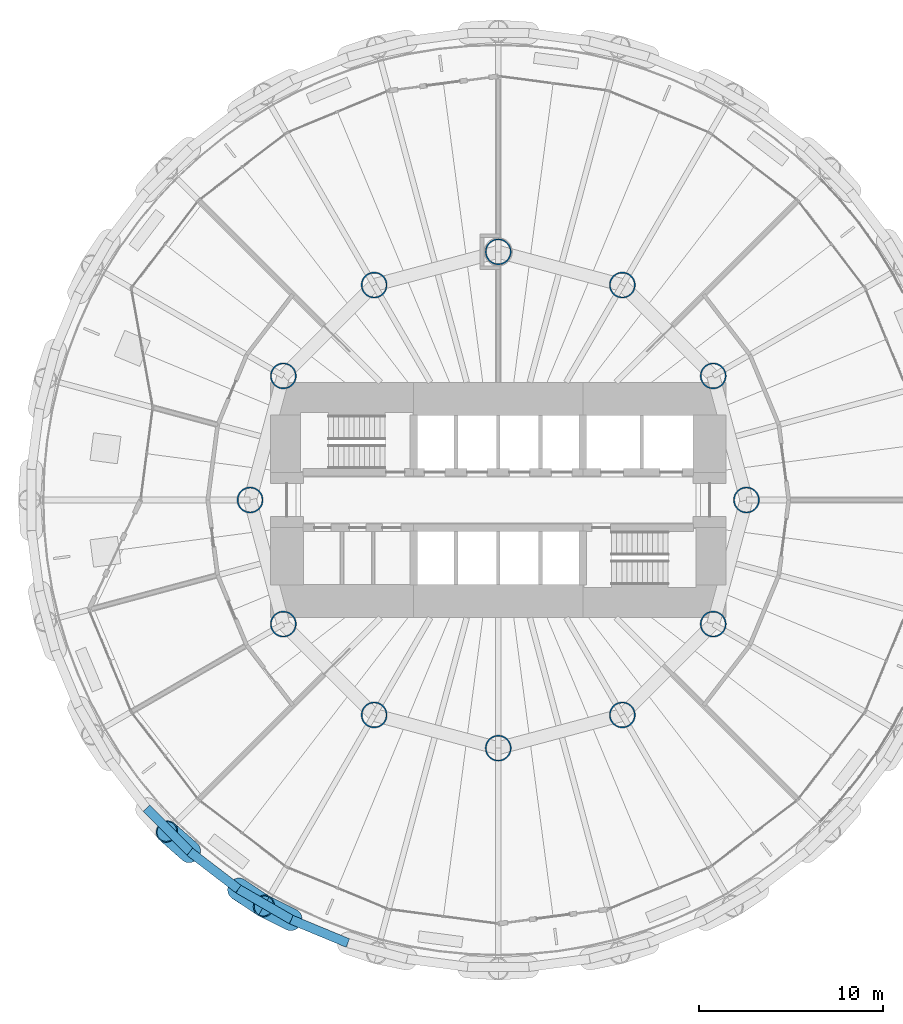
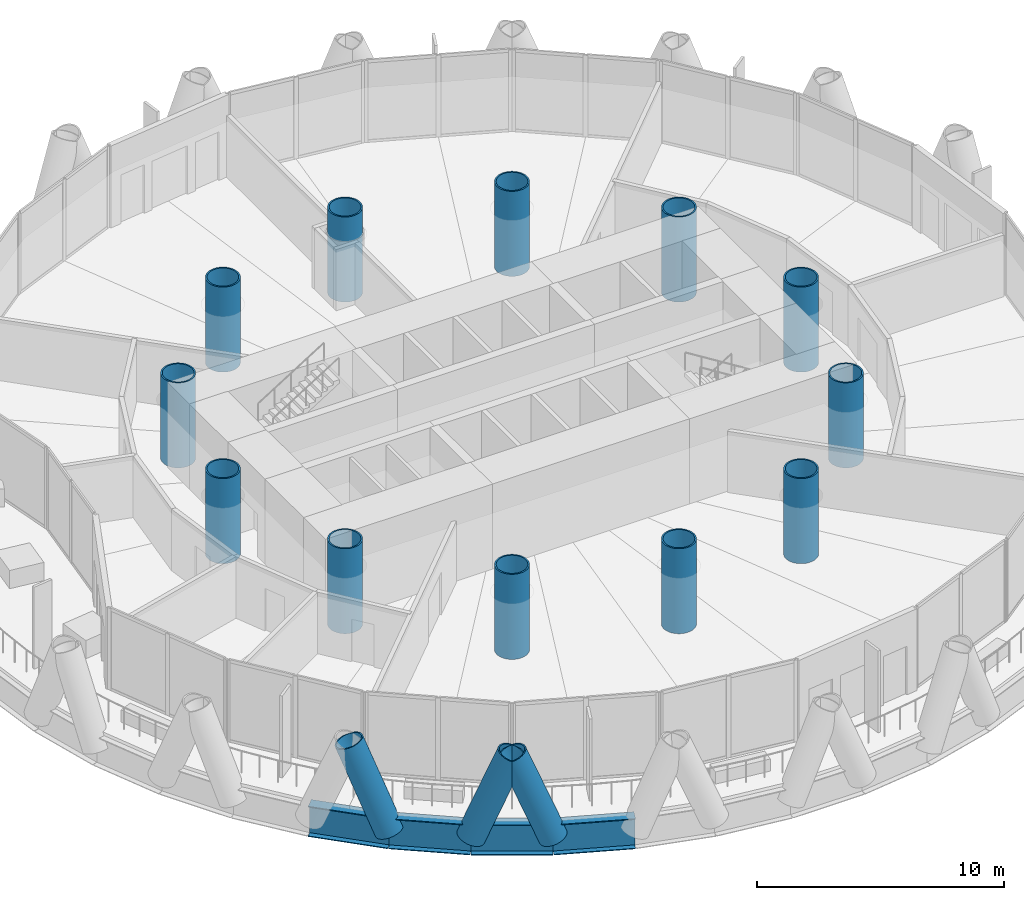
# One storey, part 1 of 15: 12 columns, 4 beams, 3 members.
"""IFC4 building model written with IfcOpenShell, lengths in metres."""

import ifcopenshell
import ifcopenshell.guid

model = None  # the IFC model being written
_history = None  # IfcOwnerHistory: only IFC2X3 demands one
_inside = {}  # id of a spatial element -> (the spatial element, [elements in it])
_under = {}  # id of a project, library or spatial element -> (it, [spatial elements below it])
_declared = {}  # id of a project -> (the project, [libraries it declares])
_typed = {}  # id of a type object -> (the type object, [elements of that type])
_made_of = {}  # id of a material, layer set ... -> (it, [elements and type objects made of it])


def new_model(schema):
    """Start an empty IFC model of exactly this schema.

    Asked for "IFC4X3", IfcOpenShell would pick the latest addendum, in which some entities
    have other attributes; the version numbers below select the first issue.
    IFC2X3 requires an IfcOwnerHistory on every rooted entity: one is made here for all.
    """
    global model, _history
    if schema == "IFC4X3":
        model = ifcopenshell.file(schema_version=(4, 3, 0, 0))
    else:
        model = ifcopenshell.file(schema=schema)
    _inside.clear()
    _under.clear()
    _declared.clear()
    _typed.clear()
    _made_of.clear()
    _history = None
    if model.schema == "IFC2X3":
        org = make("IfcOrganization", Name="unknown")
        user = make(
            "IfcPersonAndOrganization",
            ThePerson=make("IfcPerson", FamilyName="unknown"),
            TheOrganization=org,
        )
        app = make(
            "IfcApplication",
            ApplicationDeveloper=org,
            Version="unknown",
            ApplicationFullName="unknown",
            ApplicationIdentifier="unknown",
        )
        _history = make(
            "IfcOwnerHistory",
            OwningUser=user,
            OwningApplication=app,
            ChangeAction="ADDED",
            CreationDate=0,
        )
    return model


def make(cls, **values):
    """One entity of the class cls with the attributes given. An attribute that is None is left unset."""
    return model.create_entity(
        cls, **{name: value for name, value in values.items() if value is not None}
    )


def rooted(cls, **values):
    """An entity with a GlobalId (a new one), such as an element, a storey or a relation."""
    return make(cls, GlobalId=ifcopenshell.guid.new(), OwnerHistory=_history, **values)


def si_unit(unit_type, name, prefix=None):
    """IfcSIUnit, for example si_unit("LENGTHUNIT", "METRE", prefix="MILLI")."""
    return make("IfcSIUnit", UnitType=unit_type, Prefix=prefix, Name=name)


def assignment(units):
    """IfcUnitAssignment: the units of a project."""
    return None if units is None else make("IfcUnitAssignment", Units=units)


def point(xyz):
    """IfcCartesianPoint."""
    return None if xyz is None else make("IfcCartesianPoint", Coordinates=xyz)


def direction(xyz):
    """IfcDirection."""
    return None if xyz is None else make("IfcDirection", DirectionRatios=xyz)


def frame(location, z_axis=None, x_axis=None):
    """IfcAxis2Placement3D, a coordinate frame: its origin and axes. An axis left out is left unset."""
    return make(
        "IfcAxis2Placement3D",
        Location=point(location),
        Axis=direction(z_axis),
        RefDirection=direction(x_axis),
    )


def frame_2d(location, x_axis=None):
    """IfcAxis2Placement2D, a coordinate frame in the plane: its origin and x axis."""
    return make(
        "IfcAxis2Placement2D", Location=point(location), RefDirection=direction(x_axis)
    )


def origin():
    """The frame at (0, 0, 0) with its axes left unset."""
    return frame((0.0, 0.0, 0.0))


def origin_2d():
    """The frame at (0, 0) in the plane with its x axis left unset."""
    return frame_2d((0.0, 0.0))


def place(relative_to, where):
    """IfcLocalPlacement: puts the frame where relative to a parent placement (None: the world)."""
    return make(
        "IfcLocalPlacement", PlacementRelTo=relative_to, RelativePlacement=where
    )


def context(
    kind, dimensions, precision=None, world=None, true_north=None, identifier=None
):
    """IfcGeometricRepresentationContext, for example the 3D "Model" context."""
    return make(
        "IfcGeometricRepresentationContext",
        ContextIdentifier=identifier,
        ContextType=kind,
        CoordinateSpaceDimension=dimensions,
        Precision=precision,
        WorldCoordinateSystem=world,
        TrueNorth=true_north,
    )


def subcontext(parent, identifier, kind, view, scale=None):
    """IfcGeometricRepresentationSubContext, for example "Body" below "Model"."""
    return make(
        "IfcGeometricRepresentationSubContext",
        ContextIdentifier=identifier,
        ContextType=kind,
        ParentContext=parent,
        TargetScale=scale,
        TargetView=view,
    )


def project(units=None, contexts=None):
    """IfcProject with its units and contexts."""
    return rooted(
        "IfcProject",
        Name="project",
        RepresentationContexts=contexts,
        UnitsInContext=assignment(units),
    )


def spatial(cls, under=None, at=None, **own):
    """A site, building, storey or space (cls), placed at a placement, below another one or the project."""
    s = rooted(cls, ObjectPlacement=at, **own)
    if under is not None:
        _under.setdefault(under.id(), (under, []))[1].append(s)
    return s


def profile(cls, at=None, kind="AREA", **sizes):
    """A parametric profile (cls). Its sizes go by their IFC names, for example OverallWidth=200.0."""
    return make(cls, ProfileType=kind, Position=at, **sizes)


def hollow_circle(**sizes):
    """IfcCircleHollowProfileDef."""
    return profile("IfcCircleHollowProfileDef", **sizes)


def i_section(**sizes):
    """IfcIShapeProfileDef."""
    return profile("IfcIShapeProfileDef", **sizes)


def extrude(swept, where, along, depth):
    """IfcExtrudedAreaSolid: the profile swept, set in the frame where, extruded along a direction by depth."""
    return make(
        "IfcExtrudedAreaSolid",
        SweptArea=swept,
        Position=where,
        ExtrudedDirection=direction(along),
        Depth=depth,
    )


def shape(context_of_items, identifier, shape_type, items):
    """IfcShapeRepresentation: the items that make up one representation, for example the "Body"."""
    return make(
        "IfcShapeRepresentation",
        ContextOfItems=context_of_items,
        RepresentationIdentifier=identifier,
        RepresentationType=shape_type,
        Items=items,
    )


def material(Name=None, Category=None):
    """IfcMaterial."""
    return make("IfcMaterial", Name=Name, Category=Category)


def material_profile(
    of_material, cross_section, Name=None, Category=None, Priority=None
):
    """IfcMaterialProfile: a cross section and its material."""
    return make(
        "IfcMaterialProfile",
        Name=Name,
        Material=of_material,
        Profile=cross_section,
        Priority=Priority,
        Category=Category,
    )


def profile_set(profiles, Name=None, composite=None):
    """IfcMaterialProfileSet."""
    return make(
        "IfcMaterialProfileSet",
        Name=Name,
        MaterialProfiles=profiles,
        CompositeProfile=composite,
    )


def made_of(thing, what):
    """Note that an element or type object is made of a material, layer set ...; save() writes the relation."""
    if what is not None:
        _made_of.setdefault(what.id(), (what, []))[1].append(thing)
    return thing


def type_object(cls, material=None, **own):
    """A type object (cls), such as IfcWallType, which elements share."""
    return made_of(rooted(cls, **own), material)


def element(
    cls,
    number,
    at=None,
    inside=None,
    cuts=None,
    type_object=None,
    material=None,
    context=None,
    identifier="Body",
    shape_type=None,
    held_by="IfcProductDefinitionShape",
    body=None,
    shapes=None,
    **own,
):
    """One element of the class cls, such as IfcWall. Its Tag is "e" and its number.

    at: its placement. inside: the storey or other place that contains it. cuts: it is an
    opening in that element (IfcRelVoidsElement). A single representation is given by context,
    identifier, shape_type and body (its items); several are given by shapes. held_by: the class
    of the entity that holds the representations. save() writes the other relations.
    """
    e = rooted(cls, Tag="e%d" % number, ObjectPlacement=at, **own)
    if body is not None:
        shapes = [shape(context, identifier, shape_type, body)]
    if shapes is not None:
        e.Representation = make(held_by, Representations=shapes)
    if inside is not None:
        _inside.setdefault(inside.id(), (inside, []))[1].append(e)
    if cuts is not None:
        rooted(
            "IfcRelVoidsElement", RelatingBuildingElement=cuts, RelatedOpeningElement=e
        )
    if type_object is not None:
        _typed.setdefault(type_object.id(), (type_object, []))[1].append(e)
    return made_of(e, material)


def aggregate(whole, parts):
    """IfcRelAggregates: a whole, such as a stair, and the parts it consists of."""
    return rooted("IfcRelAggregates", RelatingObject=whole, RelatedObjects=parts)


def save(model, path):
    """Write the relations noted so far, then the file.

    IfcRelAggregates (storeys below a building ...), IfcRelContainedInSpatialStructure (elements
    in a storey), IfcRelDefinesByType, IfcRelAssociatesMaterial and IfcRelDeclares: one each for
    every whole, place, type object, material and project.
    """
    for whole, parts in _under.values():
        aggregate(whole, parts)
    for where, things in _inside.values():
        rooted(
            "IfcRelContainedInSpatialStructure",
            RelatedElements=things,
            RelatingStructure=where,
        )
    for kind, things in _typed.values():
        rooted("IfcRelDefinesByType", RelatedObjects=things, RelatingType=kind)
    for what, things in _made_of.values():
        rooted("IfcRelAssociatesMaterial", RelatedObjects=things, RelatingMaterial=what)
    for by, libraries in _declared.values():
        rooted("IfcRelDeclares", RelatingContext=by, RelatedDefinitions=libraries)
    model.write(path)


model = new_model("IFC4")

# Units and contexts
model_context = context("Model", 3, precision=1e-05, world=origin(), true_north=direction((0.0, 1.0)))
body_context = subcontext(model_context, "Body", "Model", "MODEL_VIEW")
ifc_project = project(units=[si_unit("LENGTHUNIT", "METRE"), si_unit("AREAUNIT", "SQUARE_METRE"), si_unit("VOLUMEUNIT", "CUBIC_METRE"), si_unit("PLANEANGLEUNIT", "RADIAN"), si_unit("MASSUNIT", "GRAM", prefix="KILO")], contexts=[model_context])

# Site, building, storey
site_placement = place(None, origin())
site = spatial("IfcSite", under=ifc_project, at=site_placement, CompositionType="ELEMENT")
building_placement = place(site_placement, origin())
building = spatial("IfcBuilding", under=site, at=building_placement, Name="Qaws Media Tower", CompositionType="ELEMENT")
storey_placement = place(building_placement, frame((0.0, 0.0, 72.199951171875)))
storey = spatial("IfcBuildingStorey", under=building, at=storey_placement, Name="L15", CompositionType="ELEMENT", Elevation=72.199951171875)

# Columns
ifc_material_1 = material(Name="Steel S460", Category="steel")
ifc_material_profile_1 = material_profile(ifc_material_1, hollow_circle(Radius=0.7109375, WallThickness=0.070068359375, at=origin_2d()), Name="CHS 1422x70")
ifc_profile_set_1 = profile_set([ifc_material_profile_1], Name="Steel S460")
column_type = type_object("IfcColumnType", Name="Inner column CHS 1422x70", PredefinedType="COLUMN", material=ifc_profile_set_1)
for number, where, z_axis, x_axis, name in (
    (1, (73.5, 50.0, 0.0), (0.0, 0.0, 1.0), (1.0, 0.0, 0.0), "C5 inner column I01 L15"),
    (2, (71.69140625, 56.75, 0.0), (0.0, 0.0, 1.0), (1.0, 0.0, 0.0), "C5 inner column I02 L15"),
    (3, (66.75, 61.69140625, 0.0), (0.0, 0.0, 1.0), (1.0, 0.0, 0.0), "C5 inner column I03 L15"),
    (4, (60.0, 63.5, 0.0), (0.0, 0.0, 1.0), (1.0, 0.0, 0.0), "C5 inner column I04 L15"),
    (5, (53.25, 61.69140625, 0.0), (0.0, 0.0, 1.0), (1.0, 0.0, 0.0), "C5 inner column I05 L15"),
    (6, (48.30859375, 56.75, 0.0), (0.0, 0.0, 1.0), (1.0, 0.0, 0.0), "C5 inner column I06 L15"),
    (7, (46.5, 50.0, 0.0), (0.0, 0.0, 1.0), (1.0, 0.0, 0.0), "C5 inner column I07 L15"),
    (8, (48.30859375, 43.25, 0.0), (0.0, 0.0, 1.0), (1.0, 0.0, 0.0), "C5 inner column I08 L15"),
    (9, (53.25, 38.30859375, 0.0), (0.0, 0.0, 1.0), (1.0, 0.0, 0.0), "C5 inner column I09 L15"),
    (10, (60.0, 36.5, 0.0), (0.0, 0.0, 1.0), (1.0, 0.0, 0.0), "C5 inner column I10 L15"),
    (11, (66.75, 38.30859375, 0.0), (0.0, 0.0, 1.0), (1.0, 0.0, 0.0), "C5 inner column I11 L15"),
    (12, (71.69140625, 43.25, 0.0), (0.0, 0.0, 1.0), (1.0, 0.0, 0.0), "C5 inner column I12 L15"),
):
    element("IfcColumn", number, at=place(storey_placement, frame(where, z_axis=z_axis, x_axis=x_axis)), inside=storey, type_object=column_type, Name=name, PredefinedType="COLUMN", context=body_context, shape_type="SweptSolid", body=[
        extrude(hollow_circle(Radius=0.7109375, WallThickness=0.070068359375, at=origin_2d()), origin(), (0.0, 0.0, 1.0), 4.199951171875),
    ])

# Members
ifc_material_2 = material(Name="Steel S460", Category="steel")
ifc_material_profile_2 = material_profile(ifc_material_2, hollow_circle(Radius=0.609619140625, WallThickness=0.06005859375, at=origin_2d()), Name="CHS 1219x60")
ifc_profile_set_2 = profile_set([ifc_material_profile_2], Name="Steel S460")
member_type = type_object("IfcMemberType", Name="Diagrid member CHS 1219x60", PredefinedType="USERDEFINED", material=ifc_profile_set_2)
for number, where, z_axis, x_axis, name in (
    (13, (45.86083984375, 28.839111328125, -0.909912109375), (0.307406963447, -0.204217631253, 0.929406325516), (0.553348187094, 0.832950048826, 0.0), "DG1 diagrid L15 A16"),
    (14, (43.2197265625, 30.86572265625, -0.909912109375), (-0.276827051791, 0.244087552691, 0.929401985159), (-0.661360157276, -0.750068491784, 0.0), "DG1 diagrid L15 B16"),
    (15, (48.74365234375, 27.174560546875, -0.909912109375), (-0.330532493562, 0.164131695888, 0.92941328649), (-0.444752444244, -0.89565353979, 0.0), "DG1 diagrid L15 B17"),
):
    element("IfcMember", number, at=place(storey_placement, frame(where, z_axis=z_axis, x_axis=x_axis)), inside=storey, type_object=member_type, Name=name, ObjectType="DIAGRID", PredefinedType="USERDEFINED", context=body_context, shape_type="SweptSolid", body=[
        extrude(hollow_circle(Radius=0.609619140625, WallThickness=0.06005859375, at=origin_2d()), origin(), (0.0, 0.0, 1.0), 4.51904296875),
    ])

# Beams
ifc_material_3 = material(Name="Steel S460", Category="steel")
ifc_material_profile_3 = material_profile(ifc_material_3, i_section(OverallWidth=0.5, OverallDepth=1.5, WebThickness=0.02001953125, FlangeThickness=0.0400390625, at=origin_2d()), Name="PG 1500x500")
ifc_profile_set_3 = profile_set([ifc_material_profile_3], Name="Steel S460")
beam_type = type_object("IfcBeamType", Name="Edge ring beam PG 1500x500", PredefinedType="BEAM", material=ifc_profile_set_3)
for number, where, z_axis, x_axis, name in (
    (16, (40.86572265625, 33.2197265625, -0.909912109375), (0.707106781187, -0.707106781187, 0.0), (0.707106781187, 0.707106781187, 0.0), "RB4 edge ring beam L15-30"),
    (17, (43.2197265625, 30.86572265625, -0.909912109375), (0.79335133403, -0.608764043611, 0.0), (0.608764043611, 0.79335133403, 0.0), "RB4 edge ring beam L15-31"),
):
    element("IfcBeam", number, at=place(storey_placement, frame(where, z_axis=z_axis, x_axis=x_axis)), inside=storey, type_object=beam_type, Name=name, PredefinedType="BEAM", context=body_context, shape_type="SweptSolid", body=[
        extrude(i_section(OverallWidth=0.5, OverallDepth=1.5, WebThickness=0.02001953125, FlangeThickness=0.0400390625, at=origin_2d()), origin(), (0.0, 0.0, 1.0), 3.3291015625),
    ])
beam_1_placement = place(storey_placement, frame((45.86083984375, 28.839111328125, -0.909912109375), z_axis=(0.866004823592, -0.500035644245, 0.0), x_axis=(0.500035644245, 0.866004823592, 0.0)))
element("IfcBeam", 18, at=beam_1_placement, inside=storey, type_object=beam_type, Name="RB4 edge ring beam L15-32", PredefinedType="BEAM", context=body_context, shape_type="SweptSolid", body=[
    extrude(i_section(OverallWidth=0.5, OverallDepth=1.5, WebThickness=0.02001953125, FlangeThickness=0.0400390625, at=origin_2d()), origin(), (0.0, 0.0, 1.0), 3.328857421875),
])
beam_2_placement = place(storey_placement, frame((48.74365234375, 27.174560546875, -0.909912109375), z_axis=(0.923886337442, -0.382667003395, 0.0), x_axis=(0.382667003395, 0.923886337442, 0.0)))
element("IfcBeam", 19, at=beam_2_placement, inside=storey, type_object=beam_type, Name="RB4 edge ring beam L15-33", PredefinedType="BEAM", context=body_context, shape_type="SweptSolid", body=[
    extrude(i_section(OverallWidth=0.5, OverallDepth=1.5, WebThickness=0.02001953125, FlangeThickness=0.0400390625, at=origin_2d()), origin(), (0.0, 0.0, 1.0), 3.3291015625),
])

save(model, "model.ifc")
